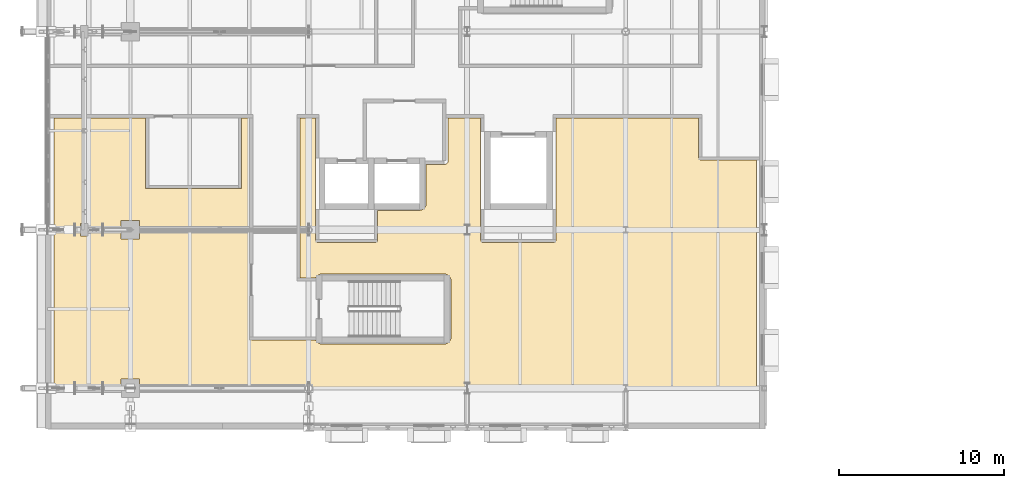
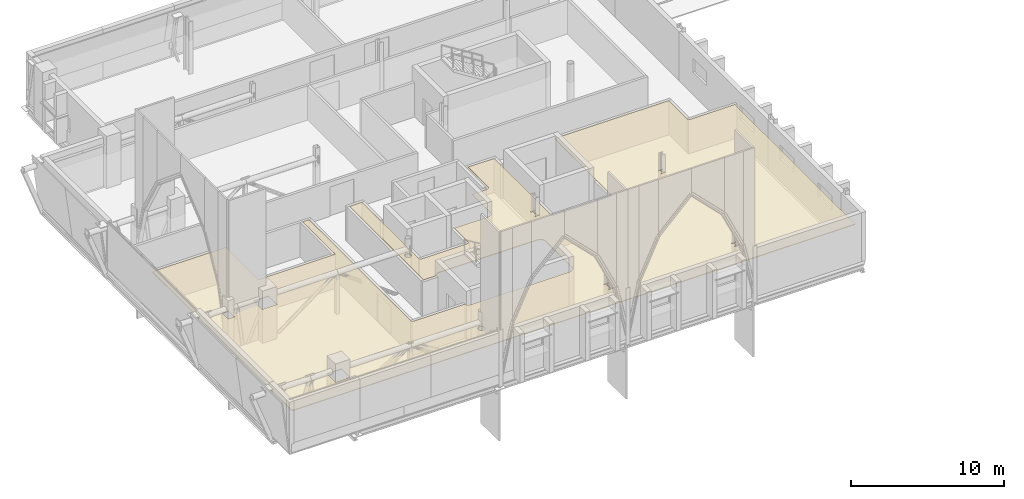
# One storey, part 73 of 90: 1 covering.
"""IFC4 building model written with IfcOpenShell, lengths in metres."""

import ifcopenshell
import ifcopenshell.guid

model = None  # the IFC model being written
_history = None  # IfcOwnerHistory: only IFC2X3 demands one
_inside = {}  # id of a spatial element -> (the spatial element, [elements in it])
_under = {}  # id of a project, library or spatial element -> (it, [spatial elements below it])
_declared = {}  # id of a project -> (the project, [libraries it declares])
_typed = {}  # id of a type object -> (the type object, [elements of that type])
_made_of = {}  # id of a material, layer set ... -> (it, [elements and type objects made of it])


def new_model(schema):
    """Start an empty IFC model of exactly this schema.

    Asked for "IFC4X3", IfcOpenShell would pick the latest addendum, in which some entities
    have other attributes; the version numbers below select the first issue.
    IFC2X3 requires an IfcOwnerHistory on every rooted entity: one is made here for all.
    """
    global model, _history
    if schema == "IFC4X3":
        model = ifcopenshell.file(schema_version=(4, 3, 0, 0))
    else:
        model = ifcopenshell.file(schema=schema)
    _inside.clear()
    _under.clear()
    _declared.clear()
    _typed.clear()
    _made_of.clear()
    _history = None
    if model.schema == "IFC2X3":
        org = make("IfcOrganization", Name="unknown")
        user = make(
            "IfcPersonAndOrganization",
            ThePerson=make("IfcPerson", FamilyName="unknown"),
            TheOrganization=org,
        )
        app = make(
            "IfcApplication",
            ApplicationDeveloper=org,
            Version="unknown",
            ApplicationFullName="unknown",
            ApplicationIdentifier="unknown",
        )
        _history = make(
            "IfcOwnerHistory",
            OwningUser=user,
            OwningApplication=app,
            ChangeAction="ADDED",
            CreationDate=0,
        )
    return model


def make(cls, **values):
    """One entity of the class cls with the attributes given. An attribute that is None is left unset."""
    return model.create_entity(
        cls, **{name: value for name, value in values.items() if value is not None}
    )


def rooted(cls, **values):
    """An entity with a GlobalId (a new one), such as an element, a storey or a relation."""
    return make(cls, GlobalId=ifcopenshell.guid.new(), OwnerHistory=_history, **values)


def si_unit(unit_type, name, prefix=None):
    """IfcSIUnit, for example si_unit("LENGTHUNIT", "METRE", prefix="MILLI")."""
    return make("IfcSIUnit", UnitType=unit_type, Prefix=prefix, Name=name)


def assignment(units):
    """IfcUnitAssignment: the units of a project."""
    return None if units is None else make("IfcUnitAssignment", Units=units)


def point(xyz):
    """IfcCartesianPoint."""
    return None if xyz is None else make("IfcCartesianPoint", Coordinates=xyz)


def direction(xyz):
    """IfcDirection."""
    return None if xyz is None else make("IfcDirection", DirectionRatios=xyz)


def frame(location, z_axis=None, x_axis=None):
    """IfcAxis2Placement3D, a coordinate frame: its origin and axes. An axis left out is left unset."""
    return make(
        "IfcAxis2Placement3D",
        Location=point(location),
        Axis=direction(z_axis),
        RefDirection=direction(x_axis),
    )


def origin():
    """The frame at (0, 0, 0) with its axes left unset."""
    return frame((0.0, 0.0, 0.0))


def place(relative_to, where):
    """IfcLocalPlacement: puts the frame where relative to a parent placement (None: the world)."""
    return make(
        "IfcLocalPlacement", PlacementRelTo=relative_to, RelativePlacement=where
    )


def context(
    kind, dimensions, precision=None, world=None, true_north=None, identifier=None
):
    """IfcGeometricRepresentationContext, for example the 3D "Model" context."""
    return make(
        "IfcGeometricRepresentationContext",
        ContextIdentifier=identifier,
        ContextType=kind,
        CoordinateSpaceDimension=dimensions,
        Precision=precision,
        WorldCoordinateSystem=world,
        TrueNorth=true_north,
    )


def subcontext(parent, identifier, kind, view, scale=None):
    """IfcGeometricRepresentationSubContext, for example "Body" below "Model"."""
    return make(
        "IfcGeometricRepresentationSubContext",
        ContextIdentifier=identifier,
        ContextType=kind,
        ParentContext=parent,
        TargetScale=scale,
        TargetView=view,
    )


def project(units=None, contexts=None):
    """IfcProject with its units and contexts."""
    return rooted(
        "IfcProject",
        Name="project",
        RepresentationContexts=contexts,
        UnitsInContext=assignment(units),
    )


def spatial(cls, under=None, at=None, **own):
    """A site, building, storey or space (cls), placed at a placement, below another one or the project."""
    s = rooted(cls, ObjectPlacement=at, **own)
    if under is not None:
        _under.setdefault(under.id(), (under, []))[1].append(s)
    return s


def polyline(points):
    """IfcPolyline through the points."""
    return make("IfcPolyline", Points=[point(p) for p in points])


def outline(outer, holes=None, kind="AREA"):
    """IfcArbitraryClosedProfileDef: a profile drawn as a closed curve; with holes, ...WithVoids."""
    if holes is None:
        return make("IfcArbitraryClosedProfileDef", ProfileType=kind, OuterCurve=outer)
    return make(
        "IfcArbitraryProfileDefWithVoids",
        ProfileType=kind,
        OuterCurve=outer,
        InnerCurves=holes,
    )


def extrude(swept, where, along, depth):
    """IfcExtrudedAreaSolid: the profile swept, set in the frame where, extruded along a direction by depth."""
    return make(
        "IfcExtrudedAreaSolid",
        SweptArea=swept,
        Position=where,
        ExtrudedDirection=direction(along),
        Depth=depth,
    )


def shape(context_of_items, identifier, shape_type, items):
    """IfcShapeRepresentation: the items that make up one representation, for example the "Body"."""
    return make(
        "IfcShapeRepresentation",
        ContextOfItems=context_of_items,
        RepresentationIdentifier=identifier,
        RepresentationType=shape_type,
        Items=items,
    )


def material(Name=None, Category=None):
    """IfcMaterial."""
    return make("IfcMaterial", Name=Name, Category=Category)


def layer(
    of_material, thickness, ventilated=None, Name=None, Category=None, Priority=None
):
    """IfcMaterialLayer: one layer of a wall or slab, of a material (None: an air gap)."""
    return make(
        "IfcMaterialLayer",
        Material=of_material,
        LayerThickness=thickness,
        IsVentilated=ventilated,
        Name=Name,
        Category=Category,
        Priority=Priority,
    )


def layer_set(layers, Name=None):
    """IfcMaterialLayerSet."""
    return make("IfcMaterialLayerSet", MaterialLayers=layers, LayerSetName=Name)


def made_of(thing, what):
    """Note that an element or type object is made of a material, layer set ...; save() writes the relation."""
    if what is not None:
        _made_of.setdefault(what.id(), (what, []))[1].append(thing)
    return thing


def type_object(cls, material=None, **own):
    """A type object (cls), such as IfcWallType, which elements share."""
    return made_of(rooted(cls, **own), material)


def element(
    cls,
    number,
    at=None,
    inside=None,
    cuts=None,
    type_object=None,
    material=None,
    context=None,
    identifier="Body",
    shape_type=None,
    held_by="IfcProductDefinitionShape",
    body=None,
    shapes=None,
    **own,
):
    """One element of the class cls, such as IfcWall. Its Tag is "e" and its number.

    at: its placement. inside: the storey or other place that contains it. cuts: it is an
    opening in that element (IfcRelVoidsElement). A single representation is given by context,
    identifier, shape_type and body (its items); several are given by shapes. held_by: the class
    of the entity that holds the representations. save() writes the other relations.
    """
    e = rooted(cls, Tag="e%d" % number, ObjectPlacement=at, **own)
    if body is not None:
        shapes = [shape(context, identifier, shape_type, body)]
    if shapes is not None:
        e.Representation = make(held_by, Representations=shapes)
    if inside is not None:
        _inside.setdefault(inside.id(), (inside, []))[1].append(e)
    if cuts is not None:
        rooted(
            "IfcRelVoidsElement", RelatingBuildingElement=cuts, RelatedOpeningElement=e
        )
    if type_object is not None:
        _typed.setdefault(type_object.id(), (type_object, []))[1].append(e)
    return made_of(e, material)


def aggregate(whole, parts):
    """IfcRelAggregates: a whole, such as a stair, and the parts it consists of."""
    return rooted("IfcRelAggregates", RelatingObject=whole, RelatedObjects=parts)


def save(model, path):
    """Write the relations noted so far, then the file.

    IfcRelAggregates (storeys below a building ...), IfcRelContainedInSpatialStructure (elements
    in a storey), IfcRelDefinesByType, IfcRelAssociatesMaterial and IfcRelDeclares: one each for
    every whole, place, type object, material and project.
    """
    for whole, parts in _under.values():
        aggregate(whole, parts)
    for where, things in _inside.values():
        rooted(
            "IfcRelContainedInSpatialStructure",
            RelatedElements=things,
            RelatingStructure=where,
        )
    for kind, things in _typed.values():
        rooted("IfcRelDefinesByType", RelatedObjects=things, RelatingType=kind)
    for what, things in _made_of.values():
        rooted("IfcRelAssociatesMaterial", RelatedObjects=things, RelatingMaterial=what)
    for by, libraries in _declared.values():
        rooted("IfcRelDeclares", RelatingContext=by, RelatedDefinitions=libraries)
    model.write(path)


model = new_model("IFC4")

# Units and contexts
model_context = context("Model", 3, precision=1e-05, world=origin(), true_north=direction((0.0, 1.0)))
body_context = subcontext(model_context, "Body", "Model", "MODEL_VIEW")
ifc_project = project(units=[si_unit("LENGTHUNIT", "METRE"), si_unit("AREAUNIT", "SQUARE_METRE"), si_unit("VOLUMEUNIT", "CUBIC_METRE"), si_unit("PLANEANGLEUNIT", "RADIAN"), si_unit("MASSUNIT", "GRAM", prefix="KILO")], contexts=[model_context])

# Site, building, storey
site_placement = place(None, origin())
site = spatial("IfcSite", under=ifc_project, at=site_placement, CompositionType="ELEMENT")
building_placement = place(site_placement, origin())
building = spatial("IfcBuilding", under=site, at=building_placement, Name="Zereglee Splitstone Museum", CompositionType="ELEMENT")
storey_placement = place(building_placement, frame((0.0, 0.0, 4.800048828125)))
storey = spatial("IfcBuildingStorey", under=building, at=storey_placement, Name="L01", CompositionType="ELEMENT", Elevation=4.800048828125)

# Covering
ifc_material = material(Name="Siberian larch acoustic timber ceiling", Category="wood")
ifc_layer = layer(ifc_material, 0.06005859375)
ifc_layer_set = layer_set([ifc_layer], Name="Siberian larch acoustic timber ceiling")
covering_type = type_object("IfcCoveringType", Name="CLG-01", PredefinedType="CEILING", material=ifc_layer_set)
covering_placement = place(storey_placement, frame((0.0, 0.0, 2.699951171875)))
element("IfcCovering", 1, at=covering_placement, inside=storey, type_object=covering_type, Name="Acoustic Ceiling L01-019", PredefinedType="CEILING", context=body_context, shape_type="SweptSolid", body=[
    extrude(outline(polyline([(19.8798828125, 16.3701171875), (20.820068359375, 16.3701171875), (20.820068359375, 9.0), (20.820068359375, 8.9990234375), (20.82080078125, 8.9833984375), (20.821044921875, 8.9814453125), (20.8232421875, 8.9658203125), (20.82373046875, 8.9638671875), (20.827392578125, 8.94873046875), (20.828125, 8.94677734375), (20.833251953125, 8.931884765625), (20.833984375, 8.93017578125), (20.8408203125, 8.916015625), (20.841796875, 8.914306640625), (20.849853515625, 8.90087890625), (20.850830078125, 8.899169921875), (20.8603515625, 8.88671875), (20.861572265625, 8.885009765625), (20.8720703125, 8.873291015625), (20.873291015625, 8.8720703125), (20.885009765625, 8.861572265625), (20.88671875, 8.8603515625), (20.899169921875, 8.850830078125), (20.90087890625, 8.849853515625), (20.914306640625, 8.841796875), (20.916015625, 8.8408203125), (20.93017578125, 8.833984375), (20.931884765625, 8.833251953125), (20.94677734375, 8.828125), (20.94873046875, 8.827392578125), (20.9638671875, 8.82373046875), (20.9658203125, 8.8232421875), (20.9814453125, 8.821044921875), (20.9833984375, 8.82080078125), (20.9990234375, 8.820068359375), (21.0, 8.820068359375), (24.39990234375, 8.820068359375), (24.40087890625, 8.820068359375), (24.416748046875, 8.82080078125), (24.418701171875, 8.821044921875), (24.43408203125, 8.8232421875), (24.43603515625, 8.82373046875), (24.451416015625, 8.827392578125), (24.453125, 8.828125), (24.468017578125, 8.833251953125), (24.4697265625, 8.833984375), (24.48388671875, 8.8408203125), (24.485595703125, 8.841796875), (24.499267578125, 8.849853515625), (24.500732421875, 8.850830078125), (24.513427734375, 8.8603515625), (24.514892578125, 8.861572265625), (24.526611328125, 8.8720703125), (24.528076171875, 8.873291015625), (24.53857421875, 8.885009765625), (24.539794921875, 8.88671875), (24.549072265625, 8.899169921875), (24.55029296875, 8.90087890625), (24.558349609375, 8.914306640625), (24.55908203125, 8.916015625), (24.56591796875, 8.93017578125), (24.566650390625, 8.931884765625), (24.572021484375, 8.94677734375), (24.572509765625, 8.94873046875), (24.576416015625, 8.9638671875), (24.57666015625, 8.9658203125), (24.5791015625, 8.9814453125), (24.5791015625, 8.9833984375), (24.580078125, 8.9990234375), (24.580078125, 9.0), (24.580078125, 10.780029296875), (27.10009765625, 10.780029296875), (27.14111328125, 10.781982421875), (27.181884765625, 10.7880859375), (27.221923828125, 10.798095703125), (27.2607421875, 10.81201171875), (27.298095703125, 10.82958984375), (27.333251953125, 10.850830078125), (27.366455078125, 10.875244140625), (27.39697265625, 10.903076171875), (27.4248046875, 10.93359375), (27.44921875, 10.966796875), (27.470458984375, 11.001953125), (27.488037109375, 11.039306640625), (27.501953125, 11.078125), (27.511962890625, 11.1181640625), (27.51806640625, 11.15869140625), (27.52001953125, 11.199951171875), (27.52001953125, 13.550048828125), (28.60009765625, 13.550048828125), (28.62451171875, 13.55126953125), (28.648681640625, 13.5546875), (28.672607421875, 13.560791015625), (28.69580078125, 13.569091796875), (28.7177734375, 13.57958984375), (28.739013671875, 13.592041015625), (28.758544921875, 13.606689453125), (28.77685546875, 13.623291015625), (28.793212890625, 13.641357421875), (28.807861328125, 13.6611328125), (28.820556640625, 13.68212890625), (28.8310546875, 13.704345703125), (28.839111328125, 13.727294921875), (28.84521484375, 13.751220703125), (28.848876953125, 13.775390625), (28.85009765625, 13.800048828125), (28.85009765625, 16.3701171875), (30.820068359375, 16.3701171875), (30.820068359375, 9.0), (30.820068359375, 8.9990234375), (30.82080078125, 8.9833984375), (30.821044921875, 8.9814453125), (30.8232421875, 8.9658203125), (30.82373046875, 8.9638671875), (30.827392578125, 8.94873046875), (30.828125, 8.94677734375), (30.833251953125, 8.931884765625), (30.833984375, 8.93017578125), (30.8408203125, 8.916015625), (30.841796875, 8.914306640625), (30.849853515625, 8.90087890625), (30.850830078125, 8.899169921875), (30.8603515625, 8.88671875), (30.861572265625, 8.885009765625), (30.8720703125, 8.873291015625), (30.873291015625, 8.8720703125), (30.885009765625, 8.861572265625), (30.88671875, 8.8603515625), (30.899169921875, 8.850830078125), (30.90087890625, 8.849853515625), (30.914306640625, 8.841796875), (30.916015625, 8.8408203125), (30.93017578125, 8.833984375), (30.931884765625, 8.833251953125), (30.94677734375, 8.828125), (30.94873046875, 8.827392578125), (30.9638671875, 8.82373046875), (30.9658203125, 8.8232421875), (30.9814453125, 8.821044921875), (30.9833984375, 8.82080078125), (30.9990234375, 8.820068359375), (31.0, 8.820068359375), (35.199951171875, 8.820068359375), (35.200927734375, 8.820068359375), (35.216796875, 8.82080078125), (35.218505859375, 8.821044921875), (35.234130859375, 8.8232421875), (35.236083984375, 8.82373046875), (35.251220703125, 8.827392578125), (35.253173828125, 8.828125), (35.26806640625, 8.833251953125), (35.269775390625, 8.833984375), (35.283935546875, 8.8408203125), (35.28564453125, 8.841796875), (35.29931640625, 8.849853515625), (35.30078125, 8.850830078125), (35.3134765625, 8.8603515625), (35.31494140625, 8.861572265625), (35.32666015625, 8.8720703125), (35.327880859375, 8.873291015625), (35.33837890625, 8.885009765625), (35.339599609375, 8.88671875), (35.34912109375, 8.899169921875), (35.35009765625, 8.90087890625), (35.3583984375, 8.914306640625), (35.359130859375, 8.916015625), (35.365966796875, 8.93017578125), (35.36669921875, 8.931884765625), (35.371826171875, 8.94677734375), (35.37255859375, 8.94873046875), (35.376220703125, 8.9638671875), (35.376708984375, 8.9658203125), (35.37890625, 8.9814453125), (35.379150390625, 8.9833984375), (35.3798828125, 8.9990234375), (35.3798828125, 9.0), (35.3798828125, 16.3701171875), (44.02001953125, 16.3701171875), (44.02001953125, 14.0), (44.02001953125, 13.9990234375), (44.020751953125, 13.9833984375), (44.02099609375, 13.9814453125), (44.023193359375, 13.9658203125), (44.023681640625, 13.9638671875), (44.027587890625, 13.94873046875), (44.028076171875, 13.94677734375), (44.033203125, 13.931884765625), (44.0341796875, 13.93017578125), (44.040771484375, 13.916015625), (44.041748046875, 13.914306640625), (44.0498046875, 13.90087890625), (44.05078125, 13.899169921875), (44.060302734375, 13.88671875), (44.0615234375, 13.885009765625), (44.072021484375, 13.873291015625), (44.073486328125, 13.8720703125), (44.085205078125, 13.861572265625), (44.086669921875, 13.8603515625), (44.09912109375, 13.850830078125), (44.100830078125, 13.849853515625), (44.1142578125, 13.841796875), (44.115966796875, 13.8408203125), (44.130126953125, 13.833984375), (44.132080078125, 13.833251953125), (44.146728515625, 13.828125), (44.148681640625, 13.827392578125), (44.163818359375, 13.82373046875), (44.166015625, 13.8232421875), (44.181396484375, 13.821044921875), (44.183349609375, 13.82080078125), (44.198974609375, 13.820068359375), (44.199951171875, 13.820068359375), (47.5400390625, 13.820068359375), (47.5400390625, -1.93994140625), (4.9599609375, -1.93994140625), (4.9599609375, 16.3701171875), (10.52001953125, 16.3701171875), (10.52001953125, 12.1298828125), (10.52001953125, 12.1279296875), (10.5205078125, 12.126220703125), (10.52099609375, 12.124267578125), (10.521484375, 12.122314453125), (10.5224609375, 12.12060546875), (10.5234375, 12.118896484375), (10.5244140625, 12.1171875), (10.52587890625, 12.115966796875), (10.52734375, 12.114501953125), (10.52880859375, 12.11328125), (10.530517578125, 12.1123046875), (10.5322265625, 12.111572265625), (10.5341796875, 12.11083984375), (10.5361328125, 12.1103515625), (10.5380859375, 12.110107421875), (10.5400390625, 12.110107421875), (16.31005859375, 12.110107421875), (16.31201171875, 12.110107421875), (16.31396484375, 12.1103515625), (16.31591796875, 12.11083984375), (16.317626953125, 12.111572265625), (16.3193359375, 12.1123046875), (16.321044921875, 12.11328125), (16.32275390625, 12.114501953125), (16.32421875, 12.115966796875), (16.325439453125, 12.1171875), (16.32666015625, 12.118896484375), (16.32763671875, 12.12060546875), (16.32861328125, 12.122314453125), (16.3291015625, 12.124267578125), (16.32958984375, 12.126220703125), (16.329833984375, 12.1279296875), (16.330078125, 12.1298828125), (16.330078125, 16.3701171875), (16.820068359375, 16.3701171875), (16.820068359375, 3.10009765625), (16.820068359375, 3.09912109375), (16.82080078125, 3.083251953125), (16.821044921875, 3.081298828125), (16.8232421875, 3.06591796875), (16.82373046875, 3.06396484375), (16.827392578125, 3.048583984375), (16.828125, 3.046875), (16.833251953125, 3.031982421875), (16.833984375, 3.0302734375), (16.8408203125, 3.01611328125), (16.841796875, 3.014404296875), (16.849853515625, 3.000732421875), (16.850830078125, 2.999267578125), (16.8603515625, 2.986572265625), (16.861572265625, 2.985107421875), (16.8720703125, 2.973388671875), (16.873291015625, 2.971923828125), (16.885009765625, 2.96142578125), (16.88671875, 2.960205078125), (16.899169921875, 2.950927734375), (16.90087890625, 2.94970703125), (16.914306640625, 2.941650390625), (16.916015625, 2.94091796875), (16.93017578125, 2.93408203125), (16.931884765625, 2.933349609375), (16.94677734375, 2.927978515625), (16.94873046875, 2.927490234375), (16.9638671875, 2.923583984375), (16.9658203125, 2.92333984375), (16.9814453125, 2.9208984375), (16.9833984375, 2.9208984375), (16.9990234375, 2.919921875), (17.0, 2.919921875), (20.821044921875, 2.919921875), (20.82958984375, 2.902099609375), (20.850830078125, 2.86669921875), (20.875244140625, 2.83349609375), (20.903076171875, 2.802978515625), (20.93359375, 2.775390625), (20.966796875, 2.750732421875), (21.001953125, 2.7294921875), (21.039306640625, 2.7119140625), (21.078125, 2.697998046875), (21.1181640625, 2.68798828125), (21.15869140625, 2.681884765625), (21.199951171875, 2.679931640625), (28.60009765625, 2.679931640625), (28.64111328125, 2.681884765625), (28.681884765625, 2.68798828125), (28.721923828125, 2.697998046875), (28.7607421875, 2.7119140625), (28.798095703125, 2.7294921875), (28.833251953125, 2.750732421875), (28.866455078125, 2.775390625), (28.89697265625, 2.802978515625), (28.9248046875, 2.83349609375), (28.94921875, 2.86669921875), (28.970458984375, 2.902099609375), (28.988037109375, 2.939208984375), (29.001953125, 2.97802734375), (29.011962890625, 3.01806640625), (29.01806640625, 3.058837890625), (29.02001953125, 3.10009765625), (29.02001953125, 6.5), (29.01806640625, 6.541259765625), (29.011962890625, 6.581787109375), (29.001953125, 6.621826171875), (28.988037109375, 6.66064453125), (28.970458984375, 6.697998046875), (28.94921875, 6.7333984375), (28.9248046875, 6.766357421875), (28.89697265625, 6.797119140625), (28.866455078125, 6.82470703125), (28.833251953125, 6.84912109375), (28.798095703125, 6.870361328125), (28.7607421875, 6.887939453125), (28.721923828125, 6.90185546875), (28.681884765625, 6.911865234375), (28.64111328125, 6.91796875), (28.60009765625, 6.919921875), (21.199951171875, 6.919921875), (21.15869140625, 6.91796875), (21.1181640625, 6.911865234375), (21.078125, 6.90185546875), (21.039306640625, 6.887939453125), (21.001953125, 6.870361328125), (20.966796875, 6.84912109375), (20.93359375, 6.82470703125), (20.903076171875, 6.797119140625), (20.875244140625, 6.766357421875), (20.850830078125, 6.7333984375), (20.82958984375, 6.697998046875), (20.821044921875, 6.679931640625), (19.8798828125, 6.679931640625), (19.8798828125, 16.3701171875)]), holes=[polyline([(9.0419921875, 0.55810546875), (9.0419921875, -0.55810546875), (10.157958984375, -0.55810546875), (10.157958984375, 0.55810546875), (9.0419921875, 0.55810546875)]), polyline([(20.490478515625, -0.218505859375), (20.531494140625, -0.196533203125), (20.567138671875, -0.167236328125), (20.5966796875, -0.13134765625), (20.618408203125, -0.090576171875), (20.632080078125, -0.046142578125), (20.636474609375, 0.0), (20.632080078125, 0.046142578125), (20.618408203125, 0.090576171875), (20.5966796875, 0.13134765625), (20.567138671875, 0.167236328125), (20.531494140625, 0.196533203125), (20.490478515625, 0.218505859375), (20.446044921875, 0.23193359375), (20.39990234375, 0.236572265625), (20.35400390625, 0.23193359375), (20.3095703125, 0.218505859375), (20.2685546875, 0.196533203125), (20.23291015625, 0.167236328125), (20.203369140625, 0.13134765625), (20.181396484375, 0.090576171875), (20.16796875, 0.046142578125), (20.16357421875, 0.0), (20.16796875, -0.046142578125), (20.181396484375, -0.090576171875), (20.203369140625, -0.13134765625), (20.23291015625, -0.167236328125), (20.2685546875, -0.196533203125), (20.3095703125, -0.218505859375), (20.35400390625, -0.23193359375), (20.39990234375, -0.236572265625), (20.446044921875, -0.23193359375), (20.490478515625, -0.218505859375)]), polyline([(30.157958984375, 0.3330078125), (29.842041015625, 0.3330078125), (29.842041015625, 0.285888671875), (29.98388671875, 0.285888671875), (29.98388671875, -0.285888671875), (29.842041015625, -0.285888671875), (29.842041015625, -0.3330078125), (30.157958984375, -0.3330078125), (30.157958984375, -0.285888671875), (30.01611328125, -0.285888671875), (30.01611328125, 0.285888671875), (30.157958984375, 0.285888671875), (30.157958984375, 0.3330078125)]), polyline([(39.758056640625, 0.2080078125), (39.44189453125, 0.2080078125), (39.44189453125, 0.16796875), (39.585205078125, 0.16796875), (39.585205078125, -0.16796875), (39.44189453125, -0.16796875), (39.44189453125, -0.2080078125), (39.758056640625, -0.2080078125), (39.758056640625, -0.16796875), (39.61474609375, -0.16796875), (39.61474609375, 0.16796875), (39.758056640625, 0.16796875), (39.758056640625, 0.2080078125)]), polyline([(9.0419921875, 10.157958984375), (9.0419921875, 9.0419921875), (10.157958984375, 9.0419921875), (10.157958984375, 10.157958984375), (9.0419921875, 10.157958984375)]), polyline([(7.032958984375, 9.98291015625), (6.56689453125, 9.98291015625), (6.56689453125, 9.217041015625), (7.032958984375, 9.217041015625), (7.032958984375, 9.98291015625)]), polyline([(20.480712890625, 9.40478515625), (20.517333984375, 9.42431640625), (20.54931640625, 9.45068359375), (20.57568359375, 9.482666015625), (20.59521484375, 9.519287109375), (20.607177734375, 9.558837890625), (20.611083984375, 9.60009765625), (20.607177734375, 9.64111328125), (20.59521484375, 9.680908203125), (20.57568359375, 9.71728515625), (20.54931640625, 9.749267578125), (20.517333984375, 9.775634765625), (20.480712890625, 9.795166015625), (20.441162109375, 9.80712890625), (20.39990234375, 9.811279296875), (20.35888671875, 9.80712890625), (20.319091796875, 9.795166015625), (20.28271484375, 9.775634765625), (20.250732421875, 9.749267578125), (20.224365234375, 9.71728515625), (20.204833984375, 9.680908203125), (20.19287109375, 9.64111328125), (20.188720703125, 9.60009765625), (20.19287109375, 9.558837890625), (20.204833984375, 9.519287109375), (20.224365234375, 9.482666015625), (20.250732421875, 9.45068359375), (20.28271484375, 9.42431640625), (20.319091796875, 9.40478515625), (20.35888671875, 9.392822265625), (20.39990234375, 9.388916015625), (20.441162109375, 9.392822265625), (20.480712890625, 9.40478515625)]), polyline([(30.157958984375, 9.907958984375), (29.842041015625, 9.907958984375), (29.842041015625, 9.862060546875), (29.984130859375, 9.862060546875), (29.984130859375, 9.337890625), (29.842041015625, 9.337890625), (29.842041015625, 9.2919921875), (30.157958984375, 9.2919921875), (30.157958984375, 9.337890625), (30.015869140625, 9.337890625), (30.015869140625, 9.862060546875), (30.157958984375, 9.862060546875), (30.157958984375, 9.907958984375)]), polyline([(39.758056640625, 9.7880859375), (39.44189453125, 9.7880859375), (39.44189453125, 9.74951171875), (39.585693359375, 9.74951171875), (39.585693359375, 9.450439453125), (39.44189453125, 9.450439453125), (39.44189453125, 9.412109375), (39.758056640625, 9.412109375), (39.758056640625, 9.450439453125), (39.6142578125, 9.450439453125), (39.6142578125, 9.74951171875), (39.758056640625, 9.74951171875), (39.758056640625, 9.7880859375)])]), origin(), (0.0, 0.0, 1.0), 0.06005859375),
])

save(model, "model.ifc")
